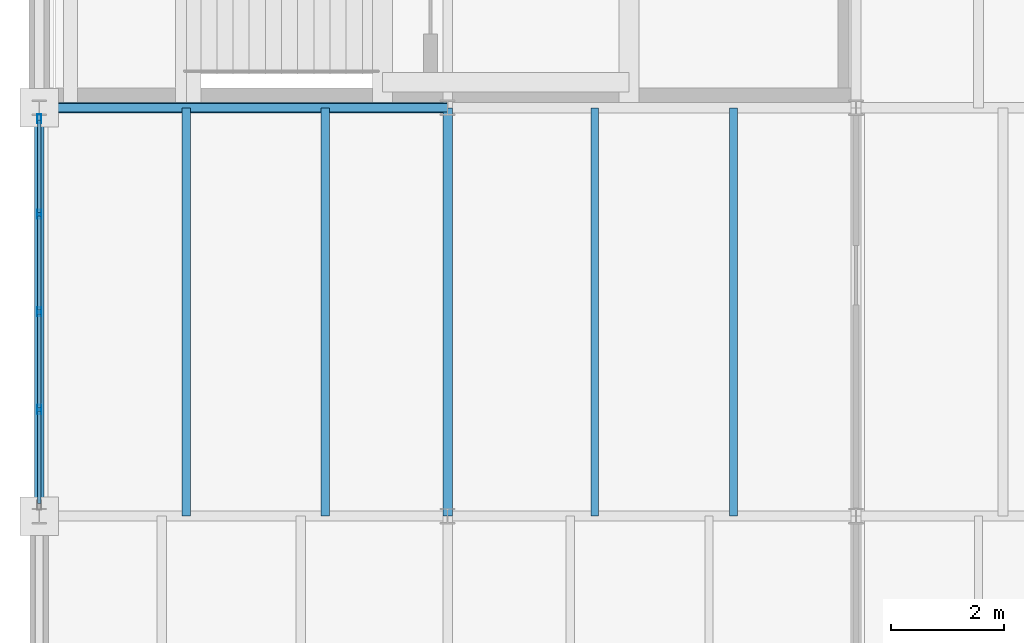
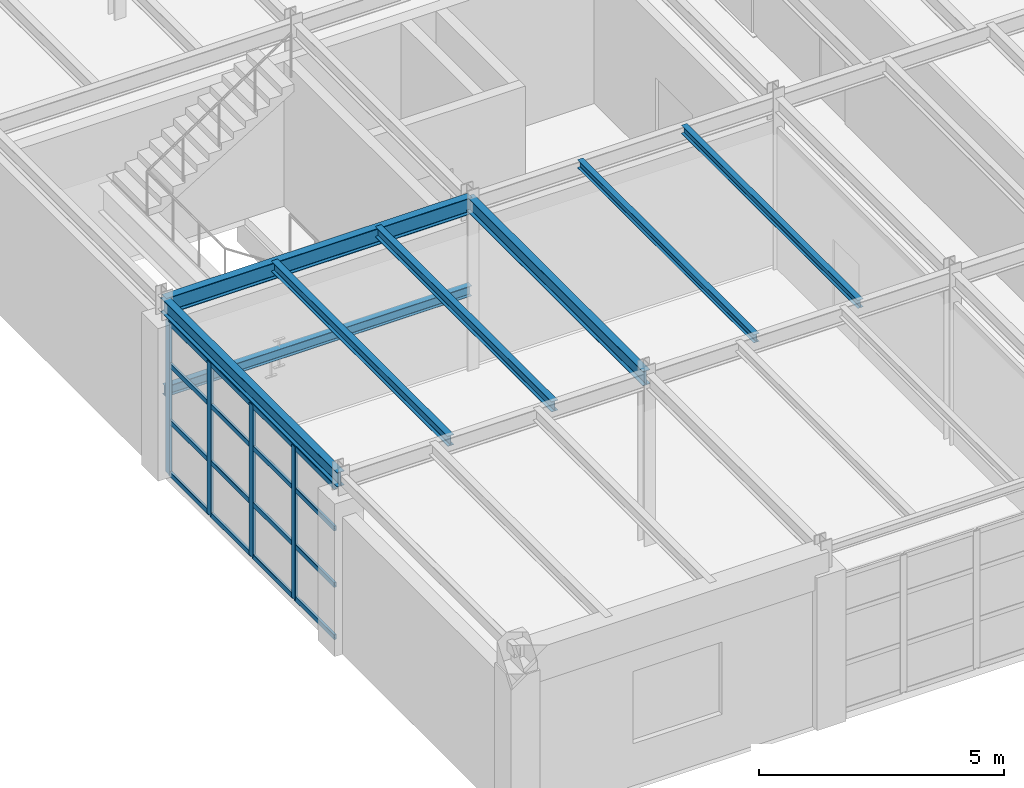
# One storey, part 14 of 101: 20 members, 8 beams, 1 element without a shape of its own.
"""IFC4 building model written with IfcOpenShell, lengths in metres."""

from ifc_helpers import new_model, si_unit, direction, frame, origin, origin_2d, place, context, subcontext, project, spatial, hollow_rectangle, i_section, extrude, material, layer, layer_set, material_profile, profile_set, type_object, element, aggregate, save


model = new_model("IFC4")

# Units and contexts
model_context = context("Model", 3, precision=1e-05, world=origin(), true_north=direction((0.0, 1.0)))
body_context = subcontext(model_context, "Body", "Model", "MODEL_VIEW")
ifc_project = project(units=[si_unit("LENGTHUNIT", "METRE"), si_unit("AREAUNIT", "SQUARE_METRE"), si_unit("VOLUMEUNIT", "CUBIC_METRE"), si_unit("PLANEANGLEUNIT", "RADIAN"), si_unit("MASSUNIT", "GRAM", prefix="KILO")], contexts=[model_context])

# Site, building, storey
site_placement = place(None, origin())
site = spatial("IfcSite", under=ifc_project, at=site_placement, CompositionType="ELEMENT")
building_placement = place(site_placement, origin())
building = spatial("IfcBuilding", under=site, at=building_placement, Name="Kemerveld Promenade Tramway Depot", CompositionType="ELEMENT")
storey_placement = place(building_placement, frame((0.0, 0.0, 9.89990234375)))
storey = spatial("IfcBuildingStorey", under=building, at=storey_placement, Name="L02", CompositionType="ELEMENT", Elevation=9.89990234375)

# Beams
ifc_material_1 = material(Name="Steel S355", Category="steel")
ifc_material_profile_1 = material_profile(ifc_material_1, i_section(OverallWidth=0.1787109375, OverallDepth=0.409423828125, WebThickness=0.0087890625, FlangeThickness=0.014404296875, FilletRadius=0.01025390625, at=origin_2d()), Name="406x178x67 UB")
ifc_profile_set_1 = profile_set([ifc_material_profile_1], Name="Steel S355")
beam_type_1 = type_object("IfcBeamType", Name="BM-G07", PredefinedType="BEAM", material=ifc_profile_set_1)
beam_placement = place(storey_placement, frame((0.0, 14.39990234375, 4.075439453125), z_axis=(1.0, 0.0, 0.0), x_axis=(0.0, 1.0, 0.0)))
element("IfcBeam", 1, at=beam_placement, inside=storey, type_object=beam_type_1, Name="BMX-L02-01-02-C", PredefinedType="BEAM", context=body_context, shape_type="SweptSolid", body=[
    extrude(i_section(OverallWidth=0.1787109375, OverallDepth=0.409423828125, WebThickness=0.0087890625, FlangeThickness=0.014404296875, FilletRadius=0.01025390625, at=origin_2d()), origin(), (0.0, 0.0, 1.0), 7.199951171875),
])
ifc_material_profile_2 = material_profile(ifc_material_1, i_section(OverallWidth=0.172119140625, OverallDepth=0.35791015625, WebThickness=0.008056640625, FlangeThickness=0.012939453125, FilletRadius=0.01025390625, at=origin_2d()), Name="356x171x57 UB")
ifc_profile_set_2 = profile_set([ifc_material_profile_2], Name="Steel S355")
beam_type_2 = type_object("IfcBeamType", Name="BM-G08", PredefinedType="BEAM", material=ifc_profile_set_2)
for number, where, z_axis, x_axis, name in (
    (2, (0.0, 7.199951171875, 4.10107421875), (0.0, 1.0, 0.0), (-1.0, 0.0, 0.0), "BMY-L02-01-B-C"),
    (3, (7.199951171875, 7.199951171875, 4.10107421875), (0.0, 1.0, 0.0), (-1.0, 0.0, 0.0), "BMY-L02-02-B-C"),
):
    element("IfcBeam", number, at=place(storey_placement, frame(where, z_axis=z_axis, x_axis=x_axis)), inside=storey, type_object=beam_type_2, Name=name, PredefinedType="BEAM", context=body_context, shape_type="SweptSolid", body=[
        extrude(i_section(OverallWidth=0.172119140625, OverallDepth=0.35791015625, WebThickness=0.008056640625, FlangeThickness=0.012939453125, FilletRadius=0.01025390625, at=origin_2d()), origin(), (0.0, 0.0, 1.0), 7.199951171875),
    ])
ifc_material_profile_3 = material_profile(ifc_material_1, i_section(OverallWidth=0.146484375, OverallDepth=0.256103515625, WebThickness=0.00634765625, FlangeThickness=0.010986328125, FilletRadius=0.007568359375, at=origin_2d()), Name="254x146x37 UB")
ifc_profile_set_3 = profile_set([ifc_material_profile_3], Name="Steel S355")
beam_type_3 = type_object("IfcBeamType", Name="BM-J02", PredefinedType="JOIST", material=ifc_profile_set_3)
for number, where, z_axis, x_axis, name in (
    (4, (2.592041015625, 7.199951171875, 4.152099609375), (0.0, 1.0, 0.0), (-1.0, 0.0, 0.0), "JST-L02-01-B-1"),
    (5, (5.0400390625, 7.199951171875, 4.152099609375), (0.0, 1.0, 0.0), (-1.0, 0.0, 0.0), "JST-L02-01-B-2"),
    (6, (0.0, 14.39990234375, 1.942138671875), (1.0, 0.0, 0.0), (0.0, 1.0, 0.0), "BM-HLY-ST-01-L02-S"),
):
    element("IfcBeam", number, at=place(storey_placement, frame(where, z_axis=z_axis, x_axis=x_axis)), inside=storey, type_object=beam_type_3, Name=name, PredefinedType="JOIST", context=body_context, shape_type="SweptSolid", body=[
        extrude(i_section(OverallWidth=0.146484375, OverallDepth=0.256103515625, WebThickness=0.00634765625, FlangeThickness=0.010986328125, FilletRadius=0.007568359375, at=origin_2d()), origin(), (0.0, 0.0, 1.0), 7.199951171875),
    ])
ifc_material_profile_4 = material_profile(ifc_material_1, i_section(OverallWidth=0.13330078125, OverallDepth=0.203125, WebThickness=0.005615234375, FlangeThickness=0.0078125, FilletRadius=0.007568359375, at=origin_2d()), Name="203x133x25 UB")
ifc_profile_set_4 = profile_set([ifc_material_profile_4], Name="Steel S355")
beam_type_4 = type_object("IfcBeamType", Name="BM-J03", PredefinedType="JOIST", material=ifc_profile_set_4)
for number, where, z_axis, x_axis, name in (
    (7, (9.7919921875, 7.199951171875, 4.178466796875), (0.0, 1.0, 0.0), (-1.0, 0.0, 0.0), "JST-L02-02-B-1"),
    (8, (12.239990234375, 7.199951171875, 4.178466796875), (0.0, 1.0, 0.0), (-1.0, 0.0, 0.0), "JST-L02-02-B-2"),
):
    element("IfcBeam", number, at=place(storey_placement, frame(where, z_axis=z_axis, x_axis=x_axis)), inside=storey, type_object=beam_type_4, Name=name, PredefinedType="JOIST", context=body_context, shape_type="SweptSolid", body=[
        extrude(i_section(OverallWidth=0.13330078125, OverallDepth=0.203125, WebThickness=0.005615234375, FlangeThickness=0.0078125, FilletRadius=0.007568359375, at=origin_2d()), origin(), (0.0, 0.0, 1.0), 7.199951171875),
    ])

# Curtain wall, members
ifc_material_2 = material(Name="Bronze anodised aluminium and solar glass", Category="aluminium")
ifc_layer = layer(ifc_material_2, 0.159912109375)
ifc_layer_set = layer_set([ifc_layer], Name="CW-SYS-05")
curtain_wall_type = type_object("IfcCurtainWallType", Name="CW-SYS-05", PredefinedType="USERDEFINED", material=ifc_layer_set)
curtain_wall_placement = place(storey_placement, origin())
curtain_wall = element("IfcCurtainWall", 9, at=curtain_wall_placement, inside=storey, type_object=curtain_wall_type, Name="CW-L02-V5W-02", ObjectType="GLAZED_CURTAIN_WALL", PredefinedType="USERDEFINED")
ifc_material_3 = material(Name="Bronze anodised aluminium", Category="aluminium")
ifc_material_profile_5 = material_profile(ifc_material_3, hollow_rectangle(XDim=0.06494140625, YDim=0.159912109375, WallThickness=0.00390625, InnerFilletRadius=0.001953125, OuterFilletRadius=0.00390625, at=origin_2d()), Name="CW-MUL-160x65")
ifc_profile_set_5 = profile_set([ifc_material_profile_5], Name="Bronze anodised aluminium")
member_type_1 = type_object("IfcMemberType", Name="CW-MUL-A", PredefinedType="MULLION", material=ifc_profile_set_5)
member_1_placement = place(storey_placement, frame((0.0, 9.0791015625, 0.0), z_axis=(0.0, 0.0, 1.0), x_axis=(-1.0, 0.0, 0.0)))
member_1 = element("IfcMember", 10, at=member_1_placement, type_object=member_type_1, Name="CW05 mullion 2", PredefinedType="MULLION", context=body_context, shape_type="SweptSolid", body=[
    extrude(hollow_rectangle(XDim=0.06494140625, YDim=0.159912109375, WallThickness=0.00390625, InnerFilletRadius=0.001953125, OuterFilletRadius=0.00390625, at=origin_2d()), origin(), (0.0, 0.0, 1.0), 3.800048828125),
])
member_2_placement = place(storey_placement, frame((0.0, 10.800048828125, 0.0), z_axis=(0.0, 0.0, 1.0), x_axis=(-1.0, 0.0, 0.0)))
member_2 = element("IfcMember", 11, at=member_2_placement, type_object=member_type_1, Name="CW05 mullion 3", PredefinedType="MULLION", context=body_context, shape_type="SweptSolid", body=[
    extrude(hollow_rectangle(XDim=0.06494140625, YDim=0.159912109375, WallThickness=0.00390625, InnerFilletRadius=0.001953125, OuterFilletRadius=0.00390625, at=origin_2d()), origin(), (0.0, 0.0, 1.0), 3.800048828125),
])
member_3_placement = place(storey_placement, frame((0.0, 12.52099609375, 0.0), z_axis=(0.0, 0.0, 1.0), x_axis=(-1.0, 0.0, 0.0)))
member_3 = element("IfcMember", 12, at=member_3_placement, type_object=member_type_1, Name="CW05 mullion 4", PredefinedType="MULLION", context=body_context, shape_type="SweptSolid", body=[
    extrude(hollow_rectangle(XDim=0.06494140625, YDim=0.159912109375, WallThickness=0.00390625, InnerFilletRadius=0.001953125, OuterFilletRadius=0.00390625, at=origin_2d()), origin(), (0.0, 0.0, 1.0), 3.800048828125),
])
member_4_placement = place(storey_placement, frame((0.0, 14.20947265625, 0.0), z_axis=(0.0, 0.0, 1.0), x_axis=(-1.0, 0.0, 0.0)))
member_4 = element("IfcMember", 13, at=member_4_placement, type_object=member_type_1, Name="CW05 mullion 5", PredefinedType="MULLION", context=body_context, shape_type="SweptSolid", body=[
    extrude(hollow_rectangle(XDim=0.06494140625, YDim=0.159912109375, WallThickness=0.00390625, InnerFilletRadius=0.001953125, OuterFilletRadius=0.00390625, at=origin_2d()), origin(), (0.0, 0.0, 1.0), 3.800048828125),
])
ifc_material_profile_6 = material_profile(ifc_material_3, hollow_rectangle(XDim=0.06005859375, YDim=0.1201171875, WallThickness=0.00390625, InnerFilletRadius=0.001953125, OuterFilletRadius=0.00390625, at=origin_2d()), Name="CW-TRN-120x60")
ifc_profile_set_6 = profile_set([ifc_material_profile_6], Name="Bronze anodised aluminium")
member_type_2 = type_object("IfcMemberType", Name="CW-TRN-A", PredefinedType="USERDEFINED", material=ifc_profile_set_6)
member_5_placement = place(storey_placement, frame((0.0, 7.423095703125, 0.030029296875), z_axis=(0.0, 1.0, 0.0), x_axis=(-1.0, 0.0, 0.0)))
member_5 = element("IfcMember", 14, at=member_5_placement, type_object=member_type_2, Name="CW05 transom 1.1", ObjectType="TRANSOM", PredefinedType="USERDEFINED", context=body_context, shape_type="SweptSolid", body=[
    extrude(hollow_rectangle(XDim=0.06005859375, YDim=0.1201171875, WallThickness=0.00390625, InnerFilletRadius=0.001953125, OuterFilletRadius=0.00390625, at=origin_2d()), origin(), (0.0, 0.0, 1.0), 1.62353515625),
])
member_6_placement = place(storey_placement, frame((0.0, 7.423095703125, 1.330078125), z_axis=(0.0, 1.0, 0.0), x_axis=(-1.0, 0.0, 0.0)))
member_6 = element("IfcMember", 15, at=member_6_placement, type_object=member_type_2, Name="CW05 transom 1.2", ObjectType="TRANSOM", PredefinedType="USERDEFINED", context=body_context, shape_type="SweptSolid", body=[
    extrude(hollow_rectangle(XDim=0.06005859375, YDim=0.1201171875, WallThickness=0.00390625, InnerFilletRadius=0.001953125, OuterFilletRadius=0.00390625, at=origin_2d()), origin(), (0.0, 0.0, 1.0), 1.62353515625),
])
member_7_placement = place(storey_placement, frame((0.0, 7.423095703125, 2.736083984375), z_axis=(0.0, 1.0, 0.0), x_axis=(-1.0, 0.0, 0.0)))
member_7 = element("IfcMember", 16, at=member_7_placement, type_object=member_type_2, Name="CW05 transom 1.3", ObjectType="TRANSOM", PredefinedType="USERDEFINED", context=body_context, shape_type="SweptSolid", body=[
    extrude(hollow_rectangle(XDim=0.06005859375, YDim=0.1201171875, WallThickness=0.00390625, InnerFilletRadius=0.001953125, OuterFilletRadius=0.00390625, at=origin_2d()), origin(), (0.0, 0.0, 1.0), 1.62353515625),
])
member_8_placement = place(storey_placement, frame((0.0, 7.423095703125, 3.77001953125), z_axis=(0.0, 1.0, 0.0), x_axis=(-1.0, 0.0, 0.0)))
member_8 = element("IfcMember", 17, at=member_8_placement, type_object=member_type_2, Name="CW05 transom 1.4", ObjectType="TRANSOM", PredefinedType="USERDEFINED", context=body_context, shape_type="SweptSolid", body=[
    extrude(hollow_rectangle(XDim=0.06005859375, YDim=0.1201171875, WallThickness=0.00390625, InnerFilletRadius=0.001953125, OuterFilletRadius=0.00390625, at=origin_2d()), origin(), (0.0, 0.0, 1.0), 1.62353515625),
])
member_9_placement = place(storey_placement, frame((0.0, 9.111572265625, 0.030029296875), z_axis=(0.0, 1.0, 0.0), x_axis=(-1.0, 0.0, 0.0)))
member_9 = element("IfcMember", 18, at=member_9_placement, type_object=member_type_2, Name="CW05 transom 2.1", ObjectType="TRANSOM", PredefinedType="USERDEFINED", context=body_context, shape_type="SweptSolid", body=[
    extrude(hollow_rectangle(XDim=0.06005859375, YDim=0.1201171875, WallThickness=0.00390625, InnerFilletRadius=0.001953125, OuterFilletRadius=0.00390625, at=origin_2d()), origin(), (0.0, 0.0, 1.0), 1.656005859375),
])
member_10_placement = place(storey_placement, frame((0.0, 9.111572265625, 1.330078125), z_axis=(0.0, 1.0, 0.0), x_axis=(-1.0, 0.0, 0.0)))
member_10 = element("IfcMember", 19, at=member_10_placement, type_object=member_type_2, Name="CW05 transom 2.2", ObjectType="TRANSOM", PredefinedType="USERDEFINED", context=body_context, shape_type="SweptSolid", body=[
    extrude(hollow_rectangle(XDim=0.06005859375, YDim=0.1201171875, WallThickness=0.00390625, InnerFilletRadius=0.001953125, OuterFilletRadius=0.00390625, at=origin_2d()), origin(), (0.0, 0.0, 1.0), 1.656005859375),
])
member_11_placement = place(storey_placement, frame((0.0, 9.111572265625, 2.736083984375), z_axis=(0.0, 1.0, 0.0), x_axis=(-1.0, 0.0, 0.0)))
member_11 = element("IfcMember", 20, at=member_11_placement, type_object=member_type_2, Name="CW05 transom 2.3", ObjectType="TRANSOM", PredefinedType="USERDEFINED", context=body_context, shape_type="SweptSolid", body=[
    extrude(hollow_rectangle(XDim=0.06005859375, YDim=0.1201171875, WallThickness=0.00390625, InnerFilletRadius=0.001953125, OuterFilletRadius=0.00390625, at=origin_2d()), origin(), (0.0, 0.0, 1.0), 1.656005859375),
])
member_12_placement = place(storey_placement, frame((0.0, 9.111572265625, 3.77001953125), z_axis=(0.0, 1.0, 0.0), x_axis=(-1.0, 0.0, 0.0)))
member_12 = element("IfcMember", 21, at=member_12_placement, type_object=member_type_2, Name="CW05 transom 2.4", ObjectType="TRANSOM", PredefinedType="USERDEFINED", context=body_context, shape_type="SweptSolid", body=[
    extrude(hollow_rectangle(XDim=0.06005859375, YDim=0.1201171875, WallThickness=0.00390625, InnerFilletRadius=0.001953125, OuterFilletRadius=0.00390625, at=origin_2d()), origin(), (0.0, 0.0, 1.0), 1.656005859375),
])
member_13_placement = place(storey_placement, frame((0.0, 10.83251953125, 0.030029296875), z_axis=(0.0, 1.0, 0.0), x_axis=(-1.0, 0.0, 0.0)))
member_13 = element("IfcMember", 22, at=member_13_placement, type_object=member_type_2, Name="CW05 transom 3.1", ObjectType="TRANSOM", PredefinedType="USERDEFINED", context=body_context, shape_type="SweptSolid", body=[
    extrude(hollow_rectangle(XDim=0.06005859375, YDim=0.1201171875, WallThickness=0.00390625, InnerFilletRadius=0.001953125, OuterFilletRadius=0.00390625, at=origin_2d()), origin(), (0.0, 0.0, 1.0), 1.656005859375),
])
member_14_placement = place(storey_placement, frame((0.0, 10.83251953125, 1.330078125), z_axis=(0.0, 1.0, 0.0), x_axis=(-1.0, 0.0, 0.0)))
member_14 = element("IfcMember", 23, at=member_14_placement, type_object=member_type_2, Name="CW05 transom 3.2", ObjectType="TRANSOM", PredefinedType="USERDEFINED", context=body_context, shape_type="SweptSolid", body=[
    extrude(hollow_rectangle(XDim=0.06005859375, YDim=0.1201171875, WallThickness=0.00390625, InnerFilletRadius=0.001953125, OuterFilletRadius=0.00390625, at=origin_2d()), origin(), (0.0, 0.0, 1.0), 1.656005859375),
])
member_15_placement = place(storey_placement, frame((0.0, 10.83251953125, 2.736083984375), z_axis=(0.0, 1.0, 0.0), x_axis=(-1.0, 0.0, 0.0)))
member_15 = element("IfcMember", 24, at=member_15_placement, type_object=member_type_2, Name="CW05 transom 3.3", ObjectType="TRANSOM", PredefinedType="USERDEFINED", context=body_context, shape_type="SweptSolid", body=[
    extrude(hollow_rectangle(XDim=0.06005859375, YDim=0.1201171875, WallThickness=0.00390625, InnerFilletRadius=0.001953125, OuterFilletRadius=0.00390625, at=origin_2d()), origin(), (0.0, 0.0, 1.0), 1.656005859375),
])
member_16_placement = place(storey_placement, frame((0.0, 10.83251953125, 3.77001953125), z_axis=(0.0, 1.0, 0.0), x_axis=(-1.0, 0.0, 0.0)))
member_16 = element("IfcMember", 25, at=member_16_placement, type_object=member_type_2, Name="CW05 transom 3.4", ObjectType="TRANSOM", PredefinedType="USERDEFINED", context=body_context, shape_type="SweptSolid", body=[
    extrude(hollow_rectangle(XDim=0.06005859375, YDim=0.1201171875, WallThickness=0.00390625, InnerFilletRadius=0.001953125, OuterFilletRadius=0.00390625, at=origin_2d()), origin(), (0.0, 0.0, 1.0), 1.656005859375),
])
member_17_placement = place(storey_placement, frame((0.0, 12.553466796875, 0.030029296875), z_axis=(0.0, 1.0, 0.0), x_axis=(-1.0, 0.0, 0.0)))
member_17 = element("IfcMember", 26, at=member_17_placement, type_object=member_type_2, Name="CW05 transom 4.1", ObjectType="TRANSOM", PredefinedType="USERDEFINED", context=body_context, shape_type="SweptSolid", body=[
    extrude(hollow_rectangle(XDim=0.06005859375, YDim=0.1201171875, WallThickness=0.00390625, InnerFilletRadius=0.001953125, OuterFilletRadius=0.00390625, at=origin_2d()), origin(), (0.0, 0.0, 1.0), 1.62353515625),
])
member_18_placement = place(storey_placement, frame((0.0, 12.553466796875, 1.330078125), z_axis=(0.0, 1.0, 0.0), x_axis=(-1.0, 0.0, 0.0)))
member_18 = element("IfcMember", 27, at=member_18_placement, type_object=member_type_2, Name="CW05 transom 4.2", ObjectType="TRANSOM", PredefinedType="USERDEFINED", context=body_context, shape_type="SweptSolid", body=[
    extrude(hollow_rectangle(XDim=0.06005859375, YDim=0.1201171875, WallThickness=0.00390625, InnerFilletRadius=0.001953125, OuterFilletRadius=0.00390625, at=origin_2d()), origin(), (0.0, 0.0, 1.0), 1.62353515625),
])
member_19_placement = place(storey_placement, frame((0.0, 12.553466796875, 2.736083984375), z_axis=(0.0, 1.0, 0.0), x_axis=(-1.0, 0.0, 0.0)))
member_19 = element("IfcMember", 28, at=member_19_placement, type_object=member_type_2, Name="CW05 transom 4.3", ObjectType="TRANSOM", PredefinedType="USERDEFINED", context=body_context, shape_type="SweptSolid", body=[
    extrude(hollow_rectangle(XDim=0.06005859375, YDim=0.1201171875, WallThickness=0.00390625, InnerFilletRadius=0.001953125, OuterFilletRadius=0.00390625, at=origin_2d()), origin(), (0.0, 0.0, 1.0), 1.62353515625),
])
member_20_placement = place(storey_placement, frame((0.0, 12.553466796875, 3.77001953125), z_axis=(0.0, 1.0, 0.0), x_axis=(-1.0, 0.0, 0.0)))
member_20 = element("IfcMember", 29, at=member_20_placement, type_object=member_type_2, Name="CW05 transom 4.4", ObjectType="TRANSOM", PredefinedType="USERDEFINED", context=body_context, shape_type="SweptSolid", body=[
    extrude(hollow_rectangle(XDim=0.06005859375, YDim=0.1201171875, WallThickness=0.00390625, InnerFilletRadius=0.001953125, OuterFilletRadius=0.00390625, at=origin_2d()), origin(), (0.0, 0.0, 1.0), 1.62353515625),
])
aggregate(curtain_wall, [member_1, member_2, member_3, member_4, member_5, member_6, member_7, member_8, member_9, member_10, member_11, member_12, member_13, member_14, member_15, member_16, member_17, member_18, member_19, member_20])

save(model, "model.ifc")
